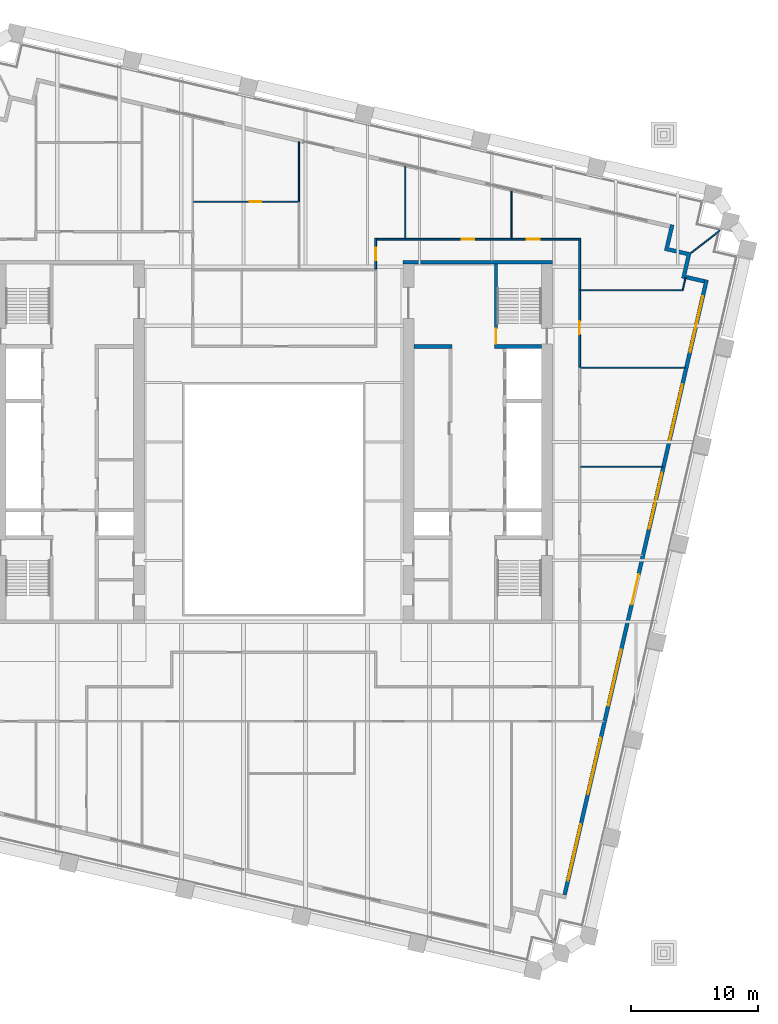
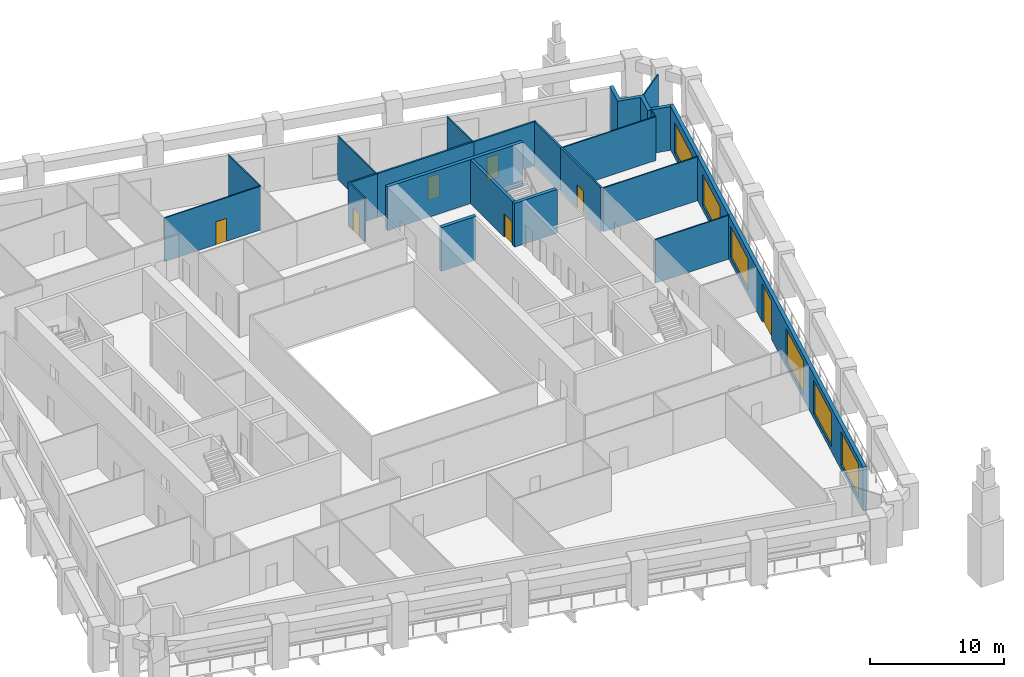
# One storey, part 8 of 10: 21 walls, 7 doors, 6 windows, 13 openings.
"""IFC4 building model written with IfcOpenShell, lengths in metres."""

from ifc_helpers import new_model, si_unit, direction, frame, frame_2d, origin, place, context, subcontext, project, spatial, polyline, rectangle, outline, extrude, material, layer, layer_set, type_object, element, fill, save


model = new_model("IFC4")

# Units and contexts
model_context = context("Model", 3, precision=1e-05, world=origin(), true_north=direction((0.0, 1.0)))
body_context = subcontext(model_context, "Body", "Model", "MODEL_VIEW")
ifc_project = project(units=[si_unit("LENGTHUNIT", "METRE"), si_unit("AREAUNIT", "SQUARE_METRE"), si_unit("VOLUMEUNIT", "CUBIC_METRE"), si_unit("PLANEANGLEUNIT", "RADIAN"), si_unit("MASSUNIT", "GRAM", prefix="KILO")], contexts=[model_context])

# Site, building, storey
site_placement = place(None, origin())
site = spatial("IfcSite", under=ifc_project, at=site_placement, CompositionType="ELEMENT")
building_placement = place(site_placement, origin())
building = spatial("IfcBuilding", under=site, at=building_placement, Name="Ogive Exchange Tower", CompositionType="ELEMENT")
storey_placement = place(building_placement, frame((0.0, 0.0, 105.60009765625)))
storey = spatial("IfcBuildingStorey", under=building, at=storey_placement, Name="L22", CompositionType="ELEMENT", Elevation=105.60009765625)

# Wall
ifc_material_1 = material(Name="Gypsum board partition")
ifc_layer_1 = layer(ifc_material_1, 0.300048828125)
ifc_layer_set_1 = layer_set([ifc_layer_1], Name="Core room partition 300 gypsum")
wall_type_1 = type_object("IfcWallType", Name="Core room partition 300 gypsum", PredefinedType="PARTITIONING", material=ifc_layer_set_1)
wall_1_placement = place(storey_placement, frame((11.0, 19.0, 0.0), z_axis=(0.0, 0.0, 1.0), x_axis=(1.0, 0.0, 0.0)))
element("IfcWall", 1, at=wall_1_placement, inside=storey, type_object=wall_type_1, Name="E row B room end wall 7", PredefinedType="PARTITIONING", context=body_context, shape_type="SweptSolid", body=[
    extrude(rectangle(XDim=3.0, YDim=0.300048828125, at=frame_2d((1.5, 0.0))), origin(), (0.0, 0.0, 1.0), 4.0),
])

# Wall, opening, door
ifc_material_2 = material(Name="Fire partition EI 60 150")
ifc_layer_2 = layer(ifc_material_2, 0.14990234375)
ifc_layer_set_2 = layer_set([ifc_layer_2], Name="Fire partition EI 60 150")
wall_type_2 = type_object("IfcWallType", Name="Fire partition EI 60 150", PredefinedType="PARTITIONING", material=ifc_layer_set_2)
wall_2_placement = place(storey_placement, frame((8.0, 25.050048828125, 0.0), z_axis=(0.0, 0.0, 1.0), x_axis=(0.0, 1.0, 0.0)))
wall_2 = element("IfcWall", 2, at=wall_2_placement, inside=storey, type_object=wall_type_2, Name="L22-PWL-054", PredefinedType="PARTITIONING", context=body_context, shape_type="SweptSolid", body=[
    extrude(rectangle(XDim=2.425048828125, YDim=0.14990234375, at=frame_2d((1.21240234375, 0.0))), origin(), (0.0, 0.0, 1.0), 4.0),
])
opening_1_placement = place(wall_2_placement, frame((0.699951171875, 0.0, 0.0)))
opening_1 = element("IfcOpeningElement", 3, at=opening_1_placement, cuts=wall_2, Name="Opening L22-I07", PredefinedType="OPENING", context=body_context, shape_type="SweptSolid", body=[
    extrude(rectangle(XDim=1.0, YDim=2.10009765625, at=frame_2d((0.5, 1.050048828125))), frame((0.0, 0.0849609375, 0.0), z_axis=(0.0, -1.0, 0.0), x_axis=(1.0, 0.0, 0.0)), (0.0, 0.0, 1.0), 0.169921875),
])
ifc_material_3 = material(Name="Fire door FD 30S 1000 x 2100")
door_type_1 = type_object("IfcDoorType", Name="Fire door FD 30S 1000 x 2100", OperationType="NOTDEFINED", PredefinedType="DOOR", material=ifc_material_3)
door_1_placement = place(opening_1_placement, origin())
door_1 = element("IfcDoor", 4, at=door_1_placement, inside=storey, type_object=door_type_1, Name="L22-IDR-007", ObjectType="DT3", OperationType="SINGLE_SWING_RIGHT", OverallHeight=2.10009765625, OverallWidth=1.0, PredefinedType="DOOR", context=body_context, shape_type="SweptSolid", body=[
    extrude(rectangle(XDim=1.0, YDim=2.10009765625, at=frame_2d((0.5, 1.050048828125))), frame((0.0, 0.02490234375, 0.0), z_axis=(0.0, -1.0, 0.0), x_axis=(1.0, 0.0, 0.0)), (0.0, 0.0, 1.0), 0.050048828125),
])
fill(opening_1, door_1)

# Wall
wall_3_placement = place(storey_placement, frame((8.074951171875, 27.39990234375, 0.0), z_axis=(0.0, 0.0, 1.0), x_axis=(1.0, 0.0, 0.0)))
element("IfcWall", 5, at=wall_3_placement, inside=storey, type_object=wall_type_2, Name="L22-PWL-055", PredefinedType="PARTITIONING", context=body_context, shape_type="SweptSolid", body=[
    extrude(rectangle(XDim=2.295166015625, YDim=0.14990234375, at=frame_2d((1.1474609375, 0.0))), origin(), (0.0, 0.0, 1.0), 4.0),
])

# Wall, opening, door
wall_4_placement = place(storey_placement, frame((10.320068359375, 27.39990234375, 0.0), z_axis=(0.0, 0.0, 1.0), x_axis=(1.0, 0.0, 0.0)))
wall_4 = element("IfcWall", 6, at=wall_4_placement, inside=storey, type_object=wall_type_2, Name="L22-PWL-057", PredefinedType="PARTITIONING", context=body_context, shape_type="SweptSolid", body=[
    extrude(rectangle(XDim=8.3798828125, YDim=0.14990234375, at=frame_2d((4.18994140625, 0.0))), origin(), (0.0, 0.0, 1.0), 4.0),
])
opening_2_placement = place(wall_4_placement, frame((4.429931640625, 0.0, 0.0)))
opening_2 = element("IfcOpeningElement", 7, at=opening_2_placement, cuts=wall_4, Name="Opening L22-I04", PredefinedType="OPENING", context=body_context, shape_type="SweptSolid", body=[
    extrude(rectangle(XDim=1.0, YDim=2.10009765625, at=frame_2d((0.5, 1.050048828125))), frame((0.0, 0.0849609375, 0.0), z_axis=(0.0, -1.0, 0.0), x_axis=(1.0, 0.0, 0.0)), (0.0, 0.0, 1.0), 0.169921875),
])
door_2_placement = place(opening_2_placement, origin())
door_2 = element("IfcDoor", 8, at=door_2_placement, inside=storey, type_object=door_type_1, Name="L22-IDR-004", ObjectType="DT3", OperationType="SINGLE_SWING_LEFT", OverallHeight=2.10009765625, OverallWidth=1.0, PredefinedType="DOOR", context=body_context, shape_type="SweptSolid", body=[
    extrude(rectangle(XDim=1.0, YDim=2.10009765625, at=frame_2d((0.5, 1.050048828125))), frame((0.0, 0.02490234375, 0.0), z_axis=(0.0, -1.0, 0.0), x_axis=(1.0, 0.0, 0.0)), (0.0, 0.0, 1.0), 0.050048828125),
])
fill(opening_2, door_2)

wall_5_placement = place(storey_placement, frame((18.699951171875, 27.39990234375, 0.0), z_axis=(0.0, 0.0, 1.0), x_axis=(1.0, 0.0, 0.0)))
wall_5 = element("IfcWall", 9, at=wall_5_placement, inside=storey, type_object=wall_type_2, Name="L22-PWL-064", PredefinedType="PARTITIONING", context=body_context, shape_type="SweptSolid", body=[
    extrude(rectangle(XDim=5.375, YDim=0.14990234375, at=frame_2d((2.6875, 0.0))), origin(), (0.0, 0.0, 1.0), 4.0),
])
opening_3_placement = place(wall_5_placement, frame((1.14990234375, 0.0, 0.0)))
opening_3 = element("IfcOpeningElement", 10, at=opening_3_placement, cuts=wall_5, Name="Opening L22-I03", PredefinedType="OPENING", context=body_context, shape_type="SweptSolid", body=[
    extrude(rectangle(XDim=1.0, YDim=2.10009765625, at=frame_2d((0.5, 1.050048828125))), frame((0.0, 0.0849609375, 0.0), z_axis=(0.0, -1.0, 0.0), x_axis=(1.0, 0.0, 0.0)), (0.0, 0.0, 1.0), 0.169921875),
])
door_3_placement = place(opening_3_placement, origin())
door_3 = element("IfcDoor", 11, at=door_3_placement, inside=storey, type_object=door_type_1, Name="L22-IDR-003", ObjectType="DT3", OperationType="SINGLE_SWING_RIGHT", OverallHeight=2.10009765625, OverallWidth=1.0, PredefinedType="DOOR", context=body_context, shape_type="SweptSolid", body=[
    extrude(rectangle(XDim=1.0, YDim=2.10009765625, at=frame_2d((0.5, 1.050048828125))), frame((0.0, 0.02490234375, 0.0), z_axis=(0.0, -1.0, 0.0), x_axis=(1.0, 0.0, 0.0)), (0.0, 0.0, 1.0), 0.050048828125),
])
fill(opening_3, door_3)

wall_6_placement = place(storey_placement, frame((24.0, 23.4599609375, 0.0), z_axis=(0.0, 0.0, 1.0), x_axis=(0.0, -1.0, 0.0)))
wall_6 = element("IfcWall", 12, at=wall_6_placement, inside=storey, type_object=wall_type_2, Name="L22-PWL-069", PredefinedType="PARTITIONING", context=body_context, shape_type="SweptSolid", body=[
    extrude(rectangle(XDim=6.08984375, YDim=0.14990234375, at=frame_2d((3.044921875, 0.0))), origin(), (0.0, 0.0, 1.0), 4.0),
])
opening_4_placement = place(wall_6_placement, frame((2.489990234375, 0.0, 0.0)))
opening_4 = element("IfcOpeningElement", 13, at=opening_4_placement, cuts=wall_6, Name="Opening L22-I02", PredefinedType="OPENING", context=body_context, shape_type="SweptSolid", body=[
    extrude(rectangle(XDim=1.0, YDim=2.10009765625, at=frame_2d((0.5, 1.050048828125))), frame((0.0, 0.0849609375, 0.0), z_axis=(0.0, -1.0, 0.0), x_axis=(1.0, 0.0, 0.0)), (0.0, 0.0, 1.0), 0.169921875),
])
door_4_placement = place(opening_4_placement, origin())
door_4 = element("IfcDoor", 14, at=door_4_placement, inside=storey, type_object=door_type_1, Name="L22-IDR-002", ObjectType="DT3", OperationType="SINGLE_SWING_RIGHT", OverallHeight=2.10009765625, OverallWidth=1.0, PredefinedType="DOOR", context=body_context, shape_type="SweptSolid", body=[
    extrude(rectangle(XDim=1.0, YDim=2.10009765625, at=frame_2d((0.5, 1.050048828125))), frame((0.0, 0.02490234375, 0.0), z_axis=(0.0, -1.0, 0.0), x_axis=(1.0, 0.0, 0.0)), (0.0, 0.0, 1.0), 0.050048828125),
])
fill(opening_4, door_4)

# Wall
wall_7_placement = place(storey_placement, frame((24.0, 27.324951171875, 0.0), z_axis=(0.0, 0.0, 1.0), x_axis=(0.0, -1.0, 0.0)))
element("IfcWall", 15, at=wall_7_placement, inside=storey, type_object=wall_type_2, Name="L22-PWL-071", PredefinedType="PARTITIONING", context=body_context, shape_type="SweptSolid", body=[
    extrude(rectangle(XDim=3.864990234375, YDim=0.14990234375, at=frame_2d((1.9326171875, 0.0))), origin(), (0.0, 0.0, 1.0), 4.0),
])

# Wall, openings, door, windows
ifc_material_4 = material(Name="Precast concrete C40/50", Category="concrete")
ifc_layer_3 = layer(ifc_material_4, 0.300048828125)
ifc_layer_set_3 = layer_set([ifc_layer_3], Name="Limestone-faced wall 300")
wall_type_3 = type_object("IfcWallType", Name="Limestone-faced wall 300", PredefinedType="STANDARD", material=ifc_layer_set_3)
wall_8_placement = place(storey_placement, frame((22.8203125, -24.015625, 0.0), z_axis=(0.0, 0.0, 1.0), x_axis=(0.224953880882, 0.974369412223, 0.0)))
wall_8 = element("IfcWall", 16, at=wall_8_placement, inside=storey, type_object=wall_type_3, Name="External wall E2", PredefinedType="STANDARD", context=body_context, shape_type="SweptSolid", body=[
    extrude(rectangle(XDim=49.500244140625, YDim=0.300048828125, at=frame_2d((24.75, 0.0))), origin(), (0.0, 0.0, 1.0), 4.0),
])
opening_5_placement = place(wall_8_placement, frame((1.156982421875, 0.0, 0.449951171875)))
opening_5 = element("IfcOpeningElement", 17, at=opening_5_placement, cuts=wall_8, Name="Opening W1", PredefinedType="OPENING", context=body_context, shape_type="SweptSolid", body=[
    extrude(rectangle(XDim=4.5, YDim=3.050048828125, at=frame_2d((2.25, 1.52490234375))), frame((0.0, 0.159912109375, 0.0), z_axis=(0.0, -1.0, 0.0), x_axis=(1.0, 0.0, 0.0)), (0.0, 0.0, 1.0), 0.320068359375),
])
opening_6_placement = place(wall_8_placement, frame((8.121337890625, 0.0, 0.449951171875)))
opening_6 = element("IfcOpeningElement", 18, at=opening_6_placement, cuts=wall_8, Name="Opening W1", PredefinedType="OPENING", context=body_context, shape_type="SweptSolid", body=[
    extrude(rectangle(XDim=4.5, YDim=3.050048828125, at=frame_2d((2.25, 1.52490234375))), frame((0.0, 0.159912109375, 0.0), z_axis=(0.0, -1.0, 0.0), x_axis=(1.0, 0.0, 0.0)), (0.0, 0.0, 1.0), 0.320068359375),
])
opening_7_placement = place(wall_8_placement, frame((15.235595703125, 0.0, 0.449951171875)))
opening_7 = element("IfcOpeningElement", 19, at=opening_7_placement, cuts=wall_8, Name="Opening W1", PredefinedType="OPENING", context=body_context, shape_type="SweptSolid", body=[
    extrude(rectangle(XDim=4.5, YDim=3.050048828125, at=frame_2d((2.25, 1.52490234375))), frame((0.0, 0.159912109375, 0.0), z_axis=(0.0, -1.0, 0.0), x_axis=(1.0, 0.0, 0.0)), (0.0, 0.0, 1.0), 0.320068359375),
])
opening_8_placement = place(wall_8_placement, frame((23.39990234375, 0.0, 0.0)))
opening_8 = element("IfcOpeningElement", 20, at=opening_8_placement, cuts=wall_8, Name="Opening D1", PredefinedType="OPENING", context=body_context, shape_type="SweptSolid", body=[
    extrude(rectangle(XDim=2.39990234375, YDim=3.5, at=frame_2d((1.199951171875, 1.75))), frame((0.0, 0.159912109375, 0.0), z_axis=(0.0, -1.0, 0.0), x_axis=(1.0, 0.0, 0.0)), (0.0, 0.0, 1.0), 0.320068359375),
])
opening_9_placement = place(wall_8_placement, frame((29.464111328125, 0.0, 0.449951171875)))
opening_9 = element("IfcOpeningElement", 21, at=opening_9_placement, cuts=wall_8, Name="Opening W1D", PredefinedType="OPENING", context=body_context, shape_type="SweptSolid", body=[
    extrude(rectangle(XDim=4.5, YDim=2.875, at=frame_2d((2.25, 1.4375))), frame((0.0, 0.159912109375, 0.0), z_axis=(0.0, -1.0, 0.0), x_axis=(1.0, 0.0, 0.0)), (0.0, 0.0, 1.0), 0.320068359375),
])
opening_10_placement = place(wall_8_placement, frame((36.57861328125, 0.0, 0.449951171875)))
opening_10 = element("IfcOpeningElement", 22, at=opening_10_placement, cuts=wall_8, Name="Opening W1E", PredefinedType="OPENING", context=body_context, shape_type="SweptSolid", body=[
    extrude(rectangle(XDim=4.5, YDim=2.824951171875, at=frame_2d((2.25, 1.41259765625))), frame((0.0, 0.159912109375, 0.0), z_axis=(0.0, -1.0, 0.0), x_axis=(1.0, 0.0, 0.0)), (0.0, 0.0, 1.0), 0.320068359375),
])
opening_11_placement = place(wall_8_placement, frame((43.69287109375, 0.0, 0.449951171875)))
opening_11 = element("IfcOpeningElement", 23, at=opening_11_placement, cuts=wall_8, Name="Opening W1H", PredefinedType="OPENING", context=body_context, shape_type="SweptSolid", body=[
    extrude(rectangle(XDim=4.5, YDim=2.75, at=frame_2d((2.25, 1.375))), frame((0.0, 0.159912109375, 0.0), z_axis=(0.0, -1.0, 0.0), x_axis=(1.0, 0.0, 0.0)), (0.0, 0.0, 1.0), 0.320068359375),
])
ifc_material_5 = material(Name="Clear glass in bronze frame", Category="glass")
door_type_2 = type_object("IfcDoorType", Name="Sliding loggia door 2400 x 3500", OperationType="DOUBLE_DOOR_SLIDING", PredefinedType="DOOR", material=ifc_material_5)
door_5_placement = place(opening_8_placement, origin())
door_5 = element("IfcDoor", 24, at=door_5_placement, inside=storey, type_object=door_type_2, Name="Loggia door E03", OperationType="DOUBLE_DOOR_SLIDING", OverallHeight=3.5, OverallWidth=2.39990234375, PredefinedType="DOOR", context=body_context, shape_type="SweptSolid", body=[
    extrude(rectangle(XDim=2.39990234375, YDim=3.5, at=frame_2d((1.199951171875, 1.75))), frame((0.0, 0.02490234375, 0.0), z_axis=(0.0, -1.0, 0.0), x_axis=(1.0, 0.0, 0.0)), (0.0, 0.0, 1.0), 0.050048828125),
])
fill(opening_8, door_5)
window_type_1 = type_object("IfcWindowType", Name="Twin lancet window 4500 x 2750", PartitioningType="DOUBLE_PANEL_VERTICAL", PredefinedType="WINDOW", material=ifc_material_5)
window_1_placement = place(opening_11_placement, origin())
window_1 = element("IfcWindow", 25, at=window_1_placement, inside=storey, type_object=window_type_1, Name="Window E06", OverallHeight=2.75, OverallWidth=4.5, PartitioningType="DOUBLE_PANEL_VERTICAL", PredefinedType="WINDOW", context=body_context, shape_type="SweptSolid", body=[
    extrude(rectangle(XDim=4.5, YDim=2.75, at=frame_2d((2.25, 1.375))), frame((0.0, 0.030029296875, 0.0), z_axis=(0.0, -1.0, 0.0), x_axis=(1.0, 0.0, 0.0)), (0.0, 0.0, 1.0), 0.06005859375),
])
fill(opening_11, window_1)
window_type_2 = type_object("IfcWindowType", Name="Twin lancet window 4500 x 2825", PartitioningType="DOUBLE_PANEL_VERTICAL", PredefinedType="WINDOW", material=ifc_material_5)
window_2_placement = place(opening_10_placement, origin())
window_2 = element("IfcWindow", 26, at=window_2_placement, inside=storey, type_object=window_type_2, Name="Window E05", OverallHeight=2.824951171875, OverallWidth=4.5, PartitioningType="DOUBLE_PANEL_VERTICAL", PredefinedType="WINDOW", context=body_context, shape_type="SweptSolid", body=[
    extrude(rectangle(XDim=4.5, YDim=2.824951171875, at=frame_2d((2.25, 1.41259765625))), frame((0.0, 0.030029296875, 0.0), z_axis=(0.0, -1.0, 0.0), x_axis=(1.0, 0.0, 0.0)), (0.0, 0.0, 1.0), 0.06005859375),
])
fill(opening_10, window_2)
window_type_3 = type_object("IfcWindowType", Name="Twin lancet window 4500 x 2875", PartitioningType="DOUBLE_PANEL_VERTICAL", PredefinedType="WINDOW", material=ifc_material_5)
window_3_placement = place(opening_9_placement, origin())
window_3 = element("IfcWindow", 27, at=window_3_placement, inside=storey, type_object=window_type_3, Name="Window E04", OverallHeight=2.875, OverallWidth=4.5, PartitioningType="DOUBLE_PANEL_VERTICAL", PredefinedType="WINDOW", context=body_context, shape_type="SweptSolid", body=[
    extrude(rectangle(XDim=4.5, YDim=2.875, at=frame_2d((2.25, 1.4375))), frame((0.0, 0.030029296875, 0.0), z_axis=(0.0, -1.0, 0.0), x_axis=(1.0, 0.0, 0.0)), (0.0, 0.0, 1.0), 0.06005859375),
])
fill(opening_9, window_3)
window_type_4 = type_object("IfcWindowType", Name="Twin lancet window 4500 x 3050", PartitioningType="DOUBLE_PANEL_VERTICAL", PredefinedType="WINDOW", material=ifc_material_5)
window_4_placement = place(opening_5_placement, origin())
window_4 = element("IfcWindow", 28, at=window_4_placement, inside=storey, type_object=window_type_4, Name="Window E00", OverallHeight=3.050048828125, OverallWidth=4.5, PartitioningType="DOUBLE_PANEL_VERTICAL", PredefinedType="WINDOW", context=body_context, shape_type="SweptSolid", body=[
    extrude(rectangle(XDim=4.5, YDim=3.050048828125, at=frame_2d((2.25, 1.52490234375))), frame((0.0, 0.030029296875, 0.0), z_axis=(0.0, -1.0, 0.0), x_axis=(1.0, 0.0, 0.0)), (0.0, 0.0, 1.0), 0.06005859375),
])
fill(opening_5, window_4)
window_5_placement = place(opening_6_placement, origin())
window_5 = element("IfcWindow", 29, at=window_5_placement, inside=storey, type_object=window_type_4, Name="Window E01", OverallHeight=3.050048828125, OverallWidth=4.5, PartitioningType="DOUBLE_PANEL_VERTICAL", PredefinedType="WINDOW", context=body_context, shape_type="SweptSolid", body=[
    extrude(rectangle(XDim=4.5, YDim=3.050048828125, at=frame_2d((2.25, 1.52490234375))), frame((0.0, 0.030029296875, 0.0), z_axis=(0.0, -1.0, 0.0), x_axis=(1.0, 0.0, 0.0)), (0.0, 0.0, 1.0), 0.06005859375),
])
fill(opening_6, window_5)
window_6_placement = place(opening_7_placement, origin())
window_6 = element("IfcWindow", 30, at=window_6_placement, inside=storey, type_object=window_type_4, Name="Window E02", OverallHeight=3.050048828125, OverallWidth=4.5, PartitioningType="DOUBLE_PANEL_VERTICAL", PredefinedType="WINDOW", context=body_context, shape_type="SweptSolid", body=[
    extrude(rectangle(XDim=4.5, YDim=3.050048828125, at=frame_2d((2.25, 1.52490234375))), frame((0.0, 0.030029296875, 0.0), z_axis=(0.0, -1.0, 0.0), x_axis=(1.0, 0.0, 0.0)), (0.0, 0.0, 1.0), 0.06005859375),
])
fill(opening_7, window_6)

# Walls
wall_9_placement = place(storey_placement, origin())
element("IfcWall", 31, at=wall_9_placement, inside=storey, type_object=wall_type_3, Name="External corner wall C2", PredefinedType="STANDARD", context=body_context, shape_type="SweptSolid", body=[
    extrude(outline(polyline([(32.392822265625, 26.115966796875), (30.638916015625, 26.52099609375), (31.111328125, 28.56689453125), (31.40380859375, 28.49951171875), (30.998779296875, 26.74560546875), (32.752685546875, 26.3408203125), (32.34765625, 24.5869140625), (33.809326171875, 24.24951171875), (33.74169921875, 23.957275390625), (31.98779296875, 24.362060546875), (32.392822265625, 26.115966796875)])), origin(), (0.0, 0.0, 1.0), 4.0),
])
ifc_material_6 = material(Name="Laminated safety glass in steel frame", Category="steel")
ifc_layer_4 = layer(ifc_material_6, 0.10009765625)
ifc_layer_set_4 = layer_set([ifc_layer_4], Name="Loggia end screen 100")
wall_type_4 = type_object("IfcWallType", Name="Loggia end screen 100", PredefinedType="STANDARD", material=ifc_layer_set_4)
wall_10_placement = place(storey_placement, frame((32.752685546875, 26.3408203125, -0.050048828125), z_axis=(0.0, 0.0, 1.0), x_axis=(0.789880529924, 0.61326075078, 0.0)))
element("IfcWall", 32, at=wall_10_placement, inside=storey, type_object=wall_type_4, Name="Loggia end screen C2", PredefinedType="STANDARD", context=body_context, shape_type="SweptSolid", body=[
    extrude(rectangle(XDim=2.85986328125, YDim=0.10009765625, at=frame_2d((1.429931640625, 0.0))), origin(), (0.0, 0.0, 1.0), 4.050048828125),
])

# Wall, opening, door
ifc_material_7 = material(Name="Partition 100 gypsum")
ifc_layer_5 = layer(ifc_material_7, 0.10009765625)
ifc_layer_set_5 = layer_set([ifc_layer_5], Name="Partition 100 gypsum")
wall_type_5 = type_object("IfcWallType", Name="Partition 100 gypsum", PredefinedType="PARTITIONING", material=ifc_layer_set_5)
wall_11_placement = place(storey_placement, frame((-6.2900390625, 30.340087890625, 0.0), z_axis=(0.0, 0.0, 1.0), x_axis=(1.0, 0.0, 0.0)))
wall_11 = element("IfcWall", 33, at=wall_11_placement, inside=storey, type_object=wall_type_5, Name="L22-PWL-038", PredefinedType="PARTITIONING", context=body_context, shape_type="SweptSolid", body=[
    extrude(rectangle(XDim=8.330078125, YDim=0.10009765625, at=frame_2d((4.1650390625, 0.0))), origin(), (0.0, 0.0, 1.0), 4.0),
])
opening_12_placement = place(wall_11_placement, frame((4.429931640625, 0.0, 0.0)))
opening_12 = element("IfcOpeningElement", 34, at=opening_12_placement, cuts=wall_11, Name="Opening L22-I09", PredefinedType="OPENING", context=body_context, shape_type="SweptSolid", body=[
    extrude(rectangle(XDim=0.89990234375, YDim=2.10009765625, at=frame_2d((0.449951171875, 1.050048828125))), frame((0.0, 0.06005859375, 0.0), z_axis=(0.0, -1.0, 0.0), x_axis=(1.0, 0.0, 0.0)), (0.0, 0.0, 1.0), 0.1201171875),
])
ifc_material_8 = material(Name="Door 900 x 2100")
door_type_3 = type_object("IfcDoorType", Name="Door 900 x 2100", OperationType="NOTDEFINED", PredefinedType="DOOR", material=ifc_material_8)
door_6_placement = place(opening_12_placement, frame((0.89990234375, 0.0, 0.0), z_axis=(0.0, 0.0, 1.0), x_axis=(-1.0, 0.0, 0.0)))
door_6 = element("IfcDoor", 35, at=door_6_placement, inside=storey, type_object=door_type_3, Name="L22-IDR-009", ObjectType="DT1", OperationType="SINGLE_SWING_RIGHT", OverallHeight=2.10009765625, OverallWidth=0.89990234375, PredefinedType="DOOR", context=body_context, shape_type="SweptSolid", body=[
    extrude(rectangle(XDim=0.89990234375, YDim=2.10009765625, at=frame_2d((0.449951171875, 1.050048828125))), frame((0.0, 0.02490234375, 0.0), z_axis=(0.0, -1.0, 0.0), x_axis=(1.0, 0.0, 0.0)), (0.0, 0.0, 1.0), 0.050048828125),
])
fill(opening_12, door_6)

# Walls
wall_12_placement = place(storey_placement, frame((1.989990234375, 30.389892578125, 0.0), z_axis=(0.0, 0.0, 1.0), x_axis=(0.0, 1.0, 0.0)))
element("IfcWall", 36, at=wall_12_placement, inside=storey, type_object=wall_type_5, Name="L22-PWL-048", PredefinedType="PARTITIONING", context=body_context, shape_type="SweptSolid", body=[
    extrude(rectangle(XDim=4.675048828125, YDim=0.10009765625, at=frame_2d((2.33740234375, 0.0))), origin(), (0.0, 0.0, 1.0), 4.0),
])
wall_13_placement = place(storey_placement, frame((10.320068359375, 27.47509765625, 0.0), z_axis=(0.0, 0.0, 1.0), x_axis=(0.0, 1.0, 0.0)))
element("IfcWall", 37, at=wall_13_placement, inside=storey, type_object=wall_type_5, Name="L22-PWL-056", PredefinedType="PARTITIONING", context=body_context, shape_type="SweptSolid", body=[
    extrude(rectangle(XDim=5.6669921875, YDim=0.10009765625, at=frame_2d((2.83349609375, 0.0))), origin(), (0.0, 0.0, 1.0), 4.0),
])
wall_14_placement = place(storey_placement, frame((18.64990234375, 27.47509765625, 0.0), z_axis=(0.0, 0.0, 1.0), x_axis=(0.0, 1.0, 0.0)))
element("IfcWall", 38, at=wall_14_placement, inside=storey, type_object=wall_type_5, Name="L22-PWL-063", PredefinedType="PARTITIONING", context=body_context, shape_type="SweptSolid", body=[
    extrude(rectangle(XDim=3.743896484375, YDim=0.10009765625, at=frame_2d((1.8720703125, 0.0))), origin(), (0.0, 0.0, 1.0), 4.0),
])
wall_15_placement = place(storey_placement, frame((24.074951171875, 17.320068359375, 0.0), z_axis=(0.0, 0.0, 1.0), x_axis=(1.0, 0.0, 0.0)))
element("IfcWall", 39, at=wall_15_placement, inside=storey, type_object=wall_type_5, Name="L22-PWL-068", PredefinedType="PARTITIONING", context=body_context, shape_type="SweptSolid", body=[
    extrude(rectangle(XDim=8.217041015625, YDim=0.10009765625, at=frame_2d((4.1083984375, 0.0))), origin(), (0.0, 0.0, 1.0), 4.0),
])
wall_16_placement = place(storey_placement, frame((24.074951171875, 23.409912109375, 0.0), z_axis=(0.0, 0.0, 1.0), x_axis=(1.0, 0.0, 0.0)))
element("IfcWall", 40, at=wall_16_placement, inside=storey, type_object=wall_type_5, Name="L22-PWL-070", PredefinedType="PARTITIONING", context=body_context, shape_type="SweptSolid", body=[
    extrude(rectangle(XDim=8.054931640625, YDim=0.10009765625, at=frame_2d((4.02734375, 0.0))), origin(), (0.0, 0.0, 1.0), 4.0),
])
wall_17_placement = place(storey_placement, frame((30.498046875, 9.550048828125, 0.0), z_axis=(0.0, 0.0, 1.0), x_axis=(-1.0, 0.0, 0.0)))
element("IfcWall", 41, at=wall_17_placement, inside=storey, type_object=wall_type_5, Name="L22-PWL-078", PredefinedType="PARTITIONING", context=body_context, shape_type="SweptSolid", body=[
    extrude(rectangle(XDim=6.423095703125, YDim=0.10009765625, at=frame_2d((3.21142578125, 0.0))), origin(), (0.0, 0.0, 1.0), 4.0),
])
wall_18_placement = place(storey_placement, frame((32.091064453125, 23.458984375, 0.0), z_axis=(0.0, 0.0, 1.0), x_axis=(0.223406444343, 0.97472537703, 0.0)))
element("IfcWall", 42, at=wall_18_placement, inside=storey, type_object=wall_type_5, Name="L22-PWL-079", PredefinedType="PARTITIONING", context=body_context, shape_type="SweptSolid", body=[
    extrude(rectangle(XDim=0.957275390625, YDim=0.10009765625, at=frame_2d((0.478515625, 0.0))), origin(), (0.0, 0.0, 1.0), 4.0),
])

# Wall, opening, door
ifc_material_9 = material(Name="Concrete C70/85", Category="concrete")
ifc_layer_6 = layer(ifc_material_9, 0.25)
ifc_layer_set_6 = layer_set([ifc_layer_6], Name="RC core wall 250 C70/85")
wall_type_6 = type_object("IfcWallType", Name="RC core wall 250 C70/85", PredefinedType="SHEAR", material=ifc_layer_set_6)
wall_19_placement = place(storey_placement, frame((17.425048828125, 19.14990234375, 0.0), z_axis=(0.0, 0.0, 1.0), x_axis=(0.0, 1.0, 0.0)))
wall_19 = element("IfcWall", 43, at=wall_19_placement, inside=storey, type_object=wall_type_6, Name="E stair N front wall", PredefinedType="SHEAR", context=body_context, shape_type="SweptSolid", body=[
    extrude(rectangle(XDim=6.300048828125, YDim=0.25, at=frame_2d((3.14990234375, 0.0))), origin(), (0.0, 0.0, 1.0), 4.0),
])
opening_13_placement = place(wall_19_placement, frame((0.050048828125, 0.0, 0.0)))
opening_13 = element("IfcOpeningElement", 44, at=opening_13_placement, cuts=wall_19, Name="Opening L22-C32", PredefinedType="OPENING", context=body_context, shape_type="SweptSolid", body=[
    extrude(rectangle(XDim=1.199951171875, YDim=2.10009765625, at=frame_2d((0.60009765625, 1.050048828125))), frame((0.0, 0.135009765625, 0.0), z_axis=(0.0, -1.0, 0.0), x_axis=(1.0, 0.0, 0.0)), (0.0, 0.0, 1.0), 0.27001953125),
])
ifc_material_10 = material(Name="Steel fire door", Category="steel")
door_type_4 = type_object("IfcDoorType", Name="Stair door FD90 1200 x 2100", OperationType="NOTDEFINED", PredefinedType="DOOR", material=ifc_material_10)
door_7_placement = place(opening_13_placement, frame((1.199951171875, 0.0, 0.0), z_axis=(0.0, 0.0, 1.0), x_axis=(-1.0, 0.0, 0.0)))
door_7 = element("IfcDoor", 45, at=door_7_placement, inside=storey, type_object=door_type_4, Name="Stair door", ObjectType="CD5", OperationType="SINGLE_SWING_LEFT", OverallHeight=2.10009765625, OverallWidth=1.199951171875, PredefinedType="DOOR", context=body_context, shape_type="SweptSolid", body=[
    extrude(rectangle(XDim=1.199951171875, YDim=2.10009765625, at=frame_2d((0.60009765625, 1.050048828125))), frame((0.0, 0.02490234375, 0.0), z_axis=(0.0, -1.0, 0.0), x_axis=(1.0, 0.0, 0.0)), (0.0, 0.0, 1.0), 0.050048828125),
])
fill(opening_13, door_7)

# Walls
ifc_layer_7 = layer(ifc_material_9, 0.300048828125)
ifc_layer_set_7 = layer_set([ifc_layer_7], Name="RC core wall 300 C70/85")
wall_type_7 = type_object("IfcWallType", Name="RC core wall 300 C70/85", PredefinedType="SHEAR", material=ifc_layer_set_7)
wall_20_placement = place(storey_placement, frame((10.14990234375, 25.60009765625, 0.0), z_axis=(0.0, 0.0, 1.0), x_axis=(1.0, 0.0, 0.0)))
element("IfcWall", 46, at=wall_20_placement, inside=storey, type_object=wall_type_7, Name="E north end wall", PredefinedType="SHEAR", context=body_context, shape_type="SweptSolid", body=[
    extrude(rectangle(XDim=11.7001953125, YDim=0.300048828125, at=frame_2d((5.85009765625, 0.0))), origin(), (0.0, 0.0, 1.0), 4.0),
])
wall_21_placement = place(storey_placement, frame((17.300048828125, 19.0, 0.0), z_axis=(0.0, 0.0, 1.0), x_axis=(1.0, 0.0, 0.0)))
element("IfcWall", 47, at=wall_21_placement, inside=storey, type_object=wall_type_7, Name="E stair N south wall", PredefinedType="SHEAR", context=body_context, shape_type="SweptSolid", body=[
    extrude(rectangle(XDim=3.699951171875, YDim=0.300048828125, at=frame_2d((1.85009765625, 0.0))), origin(), (0.0, 0.0, 1.0), 4.0),
])

save(model, "model.ifc")
